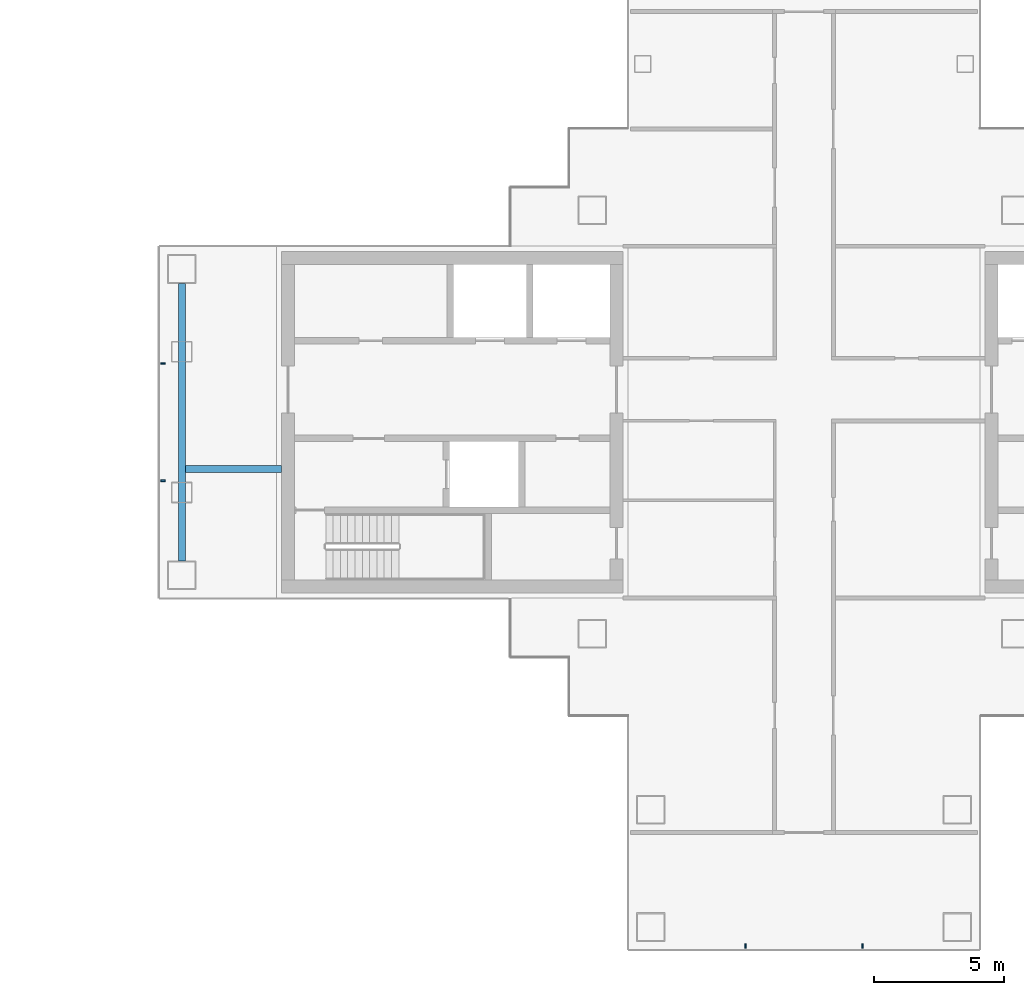
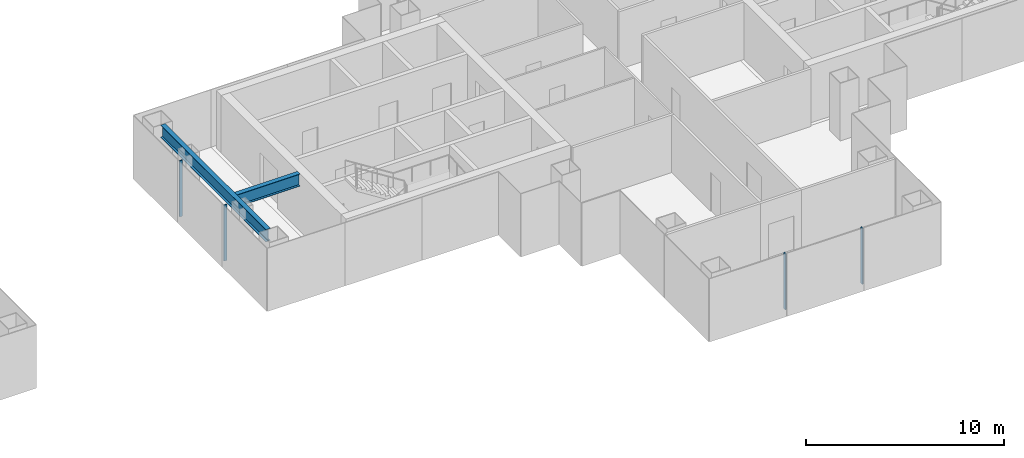
# One storey, part 5 of 16: 4 members, 2 beams, 2 elements without a shape of their own.
"""IFC4 building model written with IfcOpenShell, lengths in metres."""

from ifc_helpers import new_model, si_unit, direction, frame, origin, origin_2d, place, context, subcontext, project, spatial, rectangle, i_section, extrude, material, layer, layer_set, material_profile, profile_set, type_object, element, aggregate, save


model = new_model("IFC4")

# Units and contexts
model_context = context("Model", 3, precision=1e-05, world=origin(), true_north=direction((0.0, 1.0)))
body_context = subcontext(model_context, "Body", "Model", "MODEL_VIEW")
ifc_project = project(units=[si_unit("LENGTHUNIT", "METRE"), si_unit("AREAUNIT", "SQUARE_METRE"), si_unit("VOLUMEUNIT", "CUBIC_METRE"), si_unit("PLANEANGLEUNIT", "RADIAN"), si_unit("MASSUNIT", "GRAM", prefix="KILO")], contexts=[model_context])

# Site, building, storey
site_placement = place(None, origin())
site = spatial("IfcSite", under=ifc_project, at=site_placement, CompositionType="ELEMENT")
building_placement = place(site_placement, origin())
building = spatial("IfcBuilding", under=site, at=building_placement, Name="Shamsa Quay Exchange Towers", CompositionType="ELEMENT")
storey_placement = place(building_placement, frame((0.0, 0.0, 150.60009765625)))
storey = spatial("IfcBuildingStorey", under=building, at=storey_placement, Name="L35", CompositionType="ELEMENT", Elevation=150.60009765625)

# Curtain wall, members
ifc_material_1 = material(Name="Aluminium EN AW-6063 T6, black anodised", Category="aluminium")
ifc_layer = layer(ifc_material_1, 0.280029296875)
ifc_layer_set = layer_set([ifc_layer], Name="CW-1 UNITISED VISION GLASS")
curtain_wall_type = type_object("IfcCurtainWallType", Name="CW-1 UNITISED VISION GLASS", PredefinedType="NOTDEFINED", material=ifc_layer_set)
curtain_wall_1_placement = place(storey_placement, origin())
curtain_wall_1 = element("IfcCurtainWall", 1, at=curtain_wall_1_placement, inside=storey, type_object=curtain_wall_type, Name="CW1 T2-END-V+ L35", PredefinedType="NOTDEFINED")
ifc_material_profile_1 = material_profile(ifc_material_1, rectangle(XDim=0.179931640625, YDim=0.06005859375, at=origin_2d()), Name="MU60x180")
ifc_profile_set_1 = profile_set([ifc_material_profile_1], Name="Aluminium EN AW-6063 T6, black anodised")
member_type = type_object("IfcMemberType", Name="CW1 MULLION 60x180", PredefinedType="MULLION", material=ifc_profile_set_1)
member_1_placement = place(storey_placement, frame((9.14990234375, 2.25, 0.0)))
member_1 = element("IfcMember", 2, at=member_1_placement, type_object=member_type, Name="CW1 mullion", PredefinedType="MULLION", context=body_context, shape_type="SweptSolid", body=[
    extrude(rectangle(XDim=0.179931640625, YDim=0.06005859375, at=origin_2d()), origin(), (0.0, 0.0, 1.0), 3.449951171875),
])
member_2_placement = place(storey_placement, frame((9.14990234375, -2.25, 0.0)))
member_2 = element("IfcMember", 3, at=member_2_placement, type_object=member_type, Name="CW1 mullion", PredefinedType="MULLION", context=body_context, shape_type="SweptSolid", body=[
    extrude(rectangle(XDim=0.179931640625, YDim=0.06005859375, at=origin_2d()), origin(), (0.0, 0.0, 1.0), 3.449951171875),
])
aggregate(curtain_wall_1, [member_1, member_2])

curtain_wall_2_placement = place(storey_placement, origin())
curtain_wall_2 = element("IfcCurtainWall", 4, at=curtain_wall_2_placement, inside=storey, type_object=curtain_wall_type, Name="CW1 T2-END-U- L35", PredefinedType="NOTDEFINED")
member_3_placement = place(storey_placement, frame((31.5, -20.10009765625, 0.0), z_axis=(0.0, 0.0, 1.0), x_axis=(0.0, 1.0, 0.0)))
member_3 = element("IfcMember", 5, at=member_3_placement, type_object=member_type, Name="CW1 mullion", PredefinedType="MULLION", context=body_context, shape_type="SweptSolid", body=[
    extrude(rectangle(XDim=0.179931640625, YDim=0.06005859375, at=origin_2d()), origin(), (0.0, 0.0, 1.0), 3.449951171875),
])
member_4_placement = place(storey_placement, frame((36.0, -20.10009765625, 0.0), z_axis=(0.0, 0.0, 1.0), x_axis=(0.0, 1.0, 0.0)))
member_4 = element("IfcMember", 6, at=member_4_placement, type_object=member_type, Name="CW1 mullion", PredefinedType="MULLION", context=body_context, shape_type="SweptSolid", body=[
    extrude(rectangle(XDim=0.179931640625, YDim=0.06005859375, at=origin_2d()), origin(), (0.0, 0.0, 1.0), 3.449951171875),
])
aggregate(curtain_wall_2, [member_3, member_4])

# Beams
ifc_material_2 = material(Name="Steel S355", Category="steel")
ifc_material_profile_2 = material_profile(ifc_material_2, i_section(OverallWidth=0.26611328125, OverallDepth=0.7578125, WebThickness=0.013916015625, FlangeThickness=0.019287109375, at=origin_2d()), Name="W30x108")
ifc_profile_set_2 = profile_set([ifc_material_profile_2], Name="Steel S355")
beam_type = type_object("IfcBeamType", Name="End-zone beam W30x108", PredefinedType="BEAM", material=ifc_profile_set_2)
beam_1_placement = place(storey_placement, frame((9.875, -5.324951171875, 3.171142578125), z_axis=(0.0, 1.0, 0.0), x_axis=(-1.0, 0.0, 0.0)))
element("IfcBeam", 7, at=beam_1_placement, inside=storey, type_object=beam_type, Name="End beam T2 V+ end zone L35", PredefinedType="BEAM", context=body_context, shape_type="SweptSolid", body=[
    extrude(i_section(OverallWidth=0.26611328125, OverallDepth=0.7578125, WebThickness=0.013916015625, FlangeThickness=0.019287109375, at=origin_2d()), origin(), (0.0, 0.0, 1.0), 10.64990234375),
])
beam_2_placement = place(storey_placement, frame((13.699951171875, -1.800048828125, 3.171142578125), z_axis=(-1.0, 0.0, 0.0), x_axis=(0.0, -1.0, 0.0)))
element("IfcBeam", 8, at=beam_2_placement, inside=storey, type_object=beam_type, Name="Spine beam T2 V+ end zone L35", PredefinedType="BEAM", context=body_context, shape_type="SweptSolid", body=[
    extrude(i_section(OverallWidth=0.26611328125, OverallDepth=0.7578125, WebThickness=0.013916015625, FlangeThickness=0.019287109375, at=origin_2d()), origin(), (0.0, 0.0, 1.0), 3.69189453125),
])

save(model, "model.ifc")
